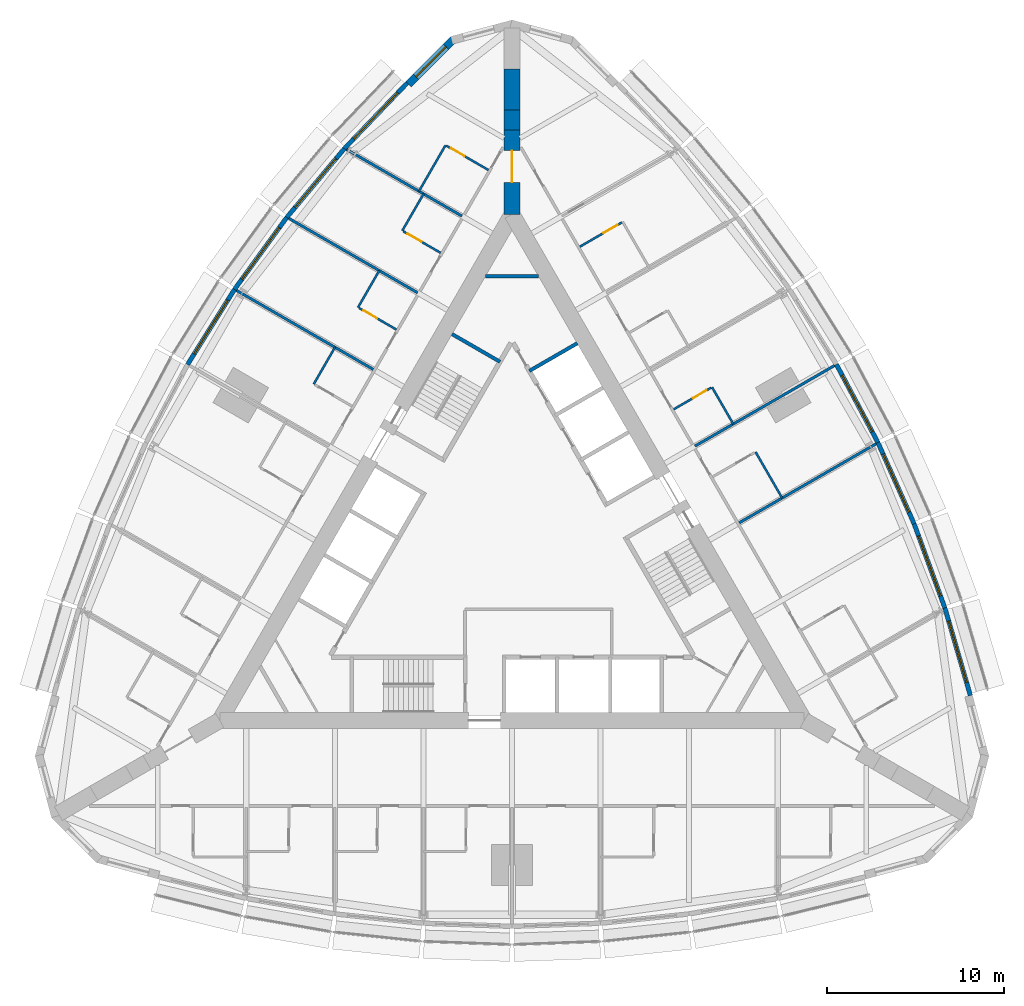
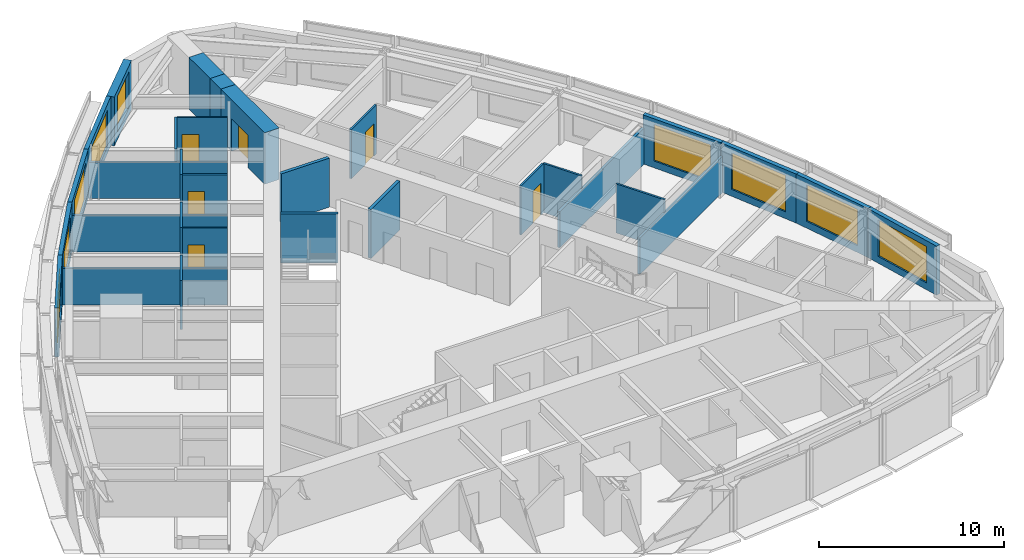
# One storey, part 12 of 14: 31 walls, 9 windows, 6 doors, 15 openings.
"""IFC4 building model written with IfcOpenShell, lengths in metres."""

from ifc_helpers import new_model, si_unit, direction, frame, frame_2d, origin, place, context, subcontext, project, spatial, rectangle, extrude, material, layer, layer_set, type_object, element, fill, save


model = new_model("IFC4")

# Units and contexts
model_context = context("Model", 3, precision=1e-05, world=origin(), true_north=direction((0.0, 1.0)))
body_context = subcontext(model_context, "Body", "Model", "MODEL_VIEW")
ifc_project = project(units=[si_unit("LENGTHUNIT", "METRE"), si_unit("AREAUNIT", "SQUARE_METRE"), si_unit("VOLUMEUNIT", "CUBIC_METRE"), si_unit("PLANEANGLEUNIT", "RADIAN"), si_unit("MASSUNIT", "GRAM", prefix="KILO")], contexts=[model_context])

# Site, building, storey
site_placement = place(None, origin())
site = spatial("IfcSite", under=ifc_project, at=site_placement, CompositionType="ELEMENT")
building_placement = place(site_placement, origin())
building = spatial("IfcBuilding", under=site, at=building_placement, Name="Trikona Tower", CompositionType="ELEMENT")
storey_placement = place(building_placement, frame((0.0, 0.0, 118.10009765625)))
storey = spatial("IfcBuildingStorey", under=building, at=storey_placement, Name="L30", CompositionType="ELEMENT", Elevation=118.10009765625)

# Walls
ifc_material_1 = material(Name="Metal stud and cement board", Category="gypsum")
ifc_layer_1 = layer(ifc_material_1, 0.1201171875)
ifc_layer_set_1 = layer_set([ifc_layer_1], Name="Bathroom wall 120")
wall_type_1 = type_object("IfcWallType", Name="Bathroom wall 120", PredefinedType="PLUMBINGWALL", material=ifc_layer_set_1)
wall_1_placement = place(storey_placement, frame((15.25341796875, 3.032958984375, 0.0), z_axis=(0.0, 0.0, 1.0), x_axis=(-0.499990139034, 0.866031096941, 0.0)))
element("IfcWall", 1, at=wall_1_placement, inside=storey, type_object=wall_type_1, Name="Bathroom wall 3009", PredefinedType="PLUMBINGWALL", context=body_context, shape_type="SweptSolid", body=[
    extrude(rectangle(XDim=3.0, YDim=0.1201171875, at=frame_2d((1.5, 0.0))), origin(), (0.0, 0.0, 1.0), 3.23486328125),
])
wall_2_placement = place(storey_placement, frame((12.493408203125, 7.213134765625, 0.0), z_axis=(0.0, 0.0, 1.0), x_axis=(-0.500001309137, 0.866024647952, 0.0)))
element("IfcWall", 2, at=wall_2_placement, inside=storey, type_object=wall_type_1, Name="Bathroom wall 3010", PredefinedType="PLUMBINGWALL", context=body_context, shape_type="SweptSolid", body=[
    extrude(rectangle(XDim=2.39990234375, YDim=0.1201171875, at=frame_2d((1.199951171875, 0.0))), origin(), (0.0, 0.0, 1.0), 3.23486328125),
])

# Wall, opening, door
wall_3_placement = place(storey_placement, frame((9.12841796875, 8.04150390625, 0.0), z_axis=(0.0, 0.0, 1.0), x_axis=(0.866005645448, 0.500034220881, 0.0)))
wall_3 = element("IfcWall", 3, at=wall_3_placement, inside=storey, type_object=wall_type_1, Name="Bathroom wall 3010", PredefinedType="PLUMBINGWALL", context=body_context, shape_type="SweptSolid", body=[
    extrude(rectangle(XDim=2.440185546875, YDim=0.1201171875, at=frame_2d((1.22021484375, 0.0))), origin(), (0.0, 0.0, 1.0), 3.23486328125),
])
opening_1_placement = place(wall_3_placement, frame((1.25, 0.0, 0.0)))
opening_1 = element("IfcOpeningElement", 4, at=opening_1_placement, cuts=wall_3, Name="Opening D2", PredefinedType="OPENING", context=body_context, shape_type="SweptSolid", body=[
    extrude(rectangle(XDim=0.89990234375, YDim=2.1298828125, at=frame_2d((0.449951171875, 1.06494140625))), frame((0.0, 0.070068359375, 0.0), z_axis=(0.0, -1.0, 0.0), x_axis=(1.0, 0.0, 0.0)), (0.0, 0.0, 1.0), 0.14013671875),
])
ifc_material_2 = material(Name="Steel door frame with solid-core timber leaf", Category="steel")
door_type_1 = type_object("IfcDoorType", Name="Bathroom door 900x2130", OperationType="SLIDING_TO_LEFT", PredefinedType="DOOR", material=ifc_material_2)
door_1_placement = place(opening_1_placement, origin())
door_1 = element("IfcDoor", 5, at=door_1_placement, inside=storey, type_object=door_type_1, Name="Bathroom door 3010", OperationType="SLIDING_TO_LEFT", OverallHeight=2.1298828125, OverallWidth=0.89990234375, PredefinedType="DOOR", context=body_context, shape_type="SweptSolid", body=[
    extrude(rectangle(XDim=0.89990234375, YDim=2.1298828125, at=frame_2d((0.449951171875, 1.06494140625))), frame((0.0, 0.02490234375, 0.0), z_axis=(0.0, -1.0, 0.0), x_axis=(1.0, 0.0, 0.0)), (0.0, 0.0, 1.0), 0.050048828125),
])
fill(opening_1, door_1)

wall_4_placement = place(storey_placement, frame((3.82861328125, 17.221435546875, 0.0), z_axis=(0.0, 0.0, 1.0), x_axis=(0.865997131366, 0.500048966069, 0.0)))
wall_4 = element("IfcWall", 6, at=wall_4_placement, inside=storey, type_object=wall_type_1, Name="Bathroom wall 3012.1", PredefinedType="PLUMBINGWALL", context=body_context, shape_type="SweptSolid", body=[
    extrude(rectangle(XDim=2.739990234375, YDim=0.1201171875, at=frame_2d((1.3701171875, 0.0))), origin(), (0.0, 0.0, 1.0), 3.23486328125),
])
opening_2_placement = place(wall_4_placement, frame((1.550048828125, 0.0, 0.0)))
opening_2 = element("IfcOpeningElement", 7, at=opening_2_placement, cuts=wall_4, Name="Opening D2", PredefinedType="OPENING", context=body_context, shape_type="SweptSolid", body=[
    extrude(rectangle(XDim=0.89990234375, YDim=2.1298828125, at=frame_2d((0.449951171875, 1.06494140625))), frame((0.0, 0.070068359375, 0.0), z_axis=(0.0, -1.0, 0.0), x_axis=(1.0, 0.0, 0.0)), (0.0, 0.0, 1.0), 0.14013671875),
])
door_2_placement = place(opening_2_placement, origin())
door_2 = element("IfcDoor", 8, at=door_2_placement, inside=storey, type_object=door_type_1, Name="Bathroom door 3012.1", OperationType="SLIDING_TO_LEFT", OverallHeight=2.1298828125, OverallWidth=0.89990234375, PredefinedType="DOOR", context=body_context, shape_type="SweptSolid", body=[
    extrude(rectangle(XDim=0.89990234375, YDim=2.1298828125, at=frame_2d((0.449951171875, 1.06494140625))), frame((0.0, 0.02490234375, 0.0), z_axis=(0.0, -1.0, 0.0), x_axis=(1.0, 0.0, 0.0)), (0.0, 0.0, 1.0), 0.050048828125),
])
fill(opening_2, door_2)

# Wall
wall_5_placement = place(storey_placement, frame((-3.75341796875, 22.95166015625, 0.0), z_axis=(0.0, 0.0, 1.0), x_axis=(-0.499990139034, -0.866031096941, 0.0)))
element("IfcWall", 9, at=wall_5_placement, inside=storey, type_object=wall_type_1, Name="Bathroom wall 3013", PredefinedType="PLUMBINGWALL", context=body_context, shape_type="SweptSolid", body=[
    extrude(rectangle(XDim=3.0, YDim=0.1201171875, at=frame_2d((1.5, 0.0))), origin(), (0.0, 0.0, 1.0), 3.23486328125),
])

# Wall, opening, door
wall_6_placement = place(storey_placement, frame((-1.32861328125, 21.551513671875, 0.0), z_axis=(0.0, 0.0, 1.0), x_axis=(-0.865997131366, 0.500048966069, 0.0)))
wall_6 = element("IfcWall", 10, at=wall_6_placement, inside=storey, type_object=wall_type_1, Name="Bathroom wall 3013", PredefinedType="PLUMBINGWALL", context=body_context, shape_type="SweptSolid", body=[
    extrude(rectangle(XDim=2.739990234375, YDim=0.1201171875, at=frame_2d((1.3701171875, 0.0))), origin(), (0.0, 0.0, 1.0), 3.23486328125),
])
opening_3_placement = place(wall_6_placement, frame((1.550048828125, 0.0, 0.0)))
opening_3 = element("IfcOpeningElement", 11, at=opening_3_placement, cuts=wall_6, Name="Opening D2", PredefinedType="OPENING", context=body_context, shape_type="SweptSolid", body=[
    extrude(rectangle(XDim=0.89990234375, YDim=2.1298828125, at=frame_2d((0.449951171875, 1.06494140625))), frame((0.0, 0.070068359375, 0.0), z_axis=(0.0, -1.0, 0.0), x_axis=(1.0, 0.0, 0.0)), (0.0, 0.0, 1.0), 0.14013671875),
])
door_3_placement = place(opening_3_placement, origin())
door_3 = element("IfcDoor", 12, at=door_3_placement, inside=storey, type_object=door_type_1, Name="Bathroom door 3013", OperationType="SLIDING_TO_LEFT", OverallHeight=2.1298828125, OverallWidth=0.89990234375, PredefinedType="DOOR", context=body_context, shape_type="SweptSolid", body=[
    extrude(rectangle(XDim=0.89990234375, YDim=2.1298828125, at=frame_2d((0.449951171875, 1.06494140625))), frame((0.0, 0.02490234375, 0.0), z_axis=(0.0, -1.0, 0.0), x_axis=(1.0, 0.0, 0.0)), (0.0, 0.0, 1.0), 0.050048828125),
])
fill(opening_3, door_3)

# Wall
wall_7_placement = place(storey_placement, frame((-4.993408203125, 20.20361328125, 0.0), z_axis=(0.0, 0.0, 1.0), x_axis=(-0.500033551112, -0.866006032174, 0.0)))
element("IfcWall", 13, at=wall_7_placement, inside=storey, type_object=wall_type_1, Name="Bathroom wall 3014", PredefinedType="PLUMBINGWALL", context=body_context, shape_type="SweptSolid", body=[
    extrude(rectangle(XDim=2.400146484375, YDim=0.1201171875, at=frame_2d((1.2001953125, 0.0))), origin(), (0.0, 0.0, 1.0), 3.23486328125),
])

# Wall, opening, door
wall_8_placement = place(storey_placement, frame((-4.028564453125, 16.875, 0.0), z_axis=(0.0, 0.0, 1.0), x_axis=(-0.865980627057, 0.500077547548, 0.0)))
wall_8 = element("IfcWall", 14, at=wall_8_placement, inside=storey, type_object=wall_type_1, Name="Bathroom wall 3014", PredefinedType="PLUMBINGWALL", context=body_context, shape_type="SweptSolid", body=[
    extrude(rectangle(XDim=2.43994140625, YDim=0.1201171875, at=frame_2d((1.219970703125, 0.0))), origin(), (0.0, 0.0, 1.0), 3.23486328125),
])
opening_4_placement = place(wall_8_placement, frame((1.25, 0.0, 0.0)))
opening_4 = element("IfcOpeningElement", 15, at=opening_4_placement, cuts=wall_8, Name="Opening D2", PredefinedType="OPENING", context=body_context, shape_type="SweptSolid", body=[
    extrude(rectangle(XDim=0.89990234375, YDim=2.1298828125, at=frame_2d((0.449951171875, 1.06494140625))), frame((0.0, 0.070068359375, 0.0), z_axis=(0.0, -1.0, 0.0), x_axis=(1.0, 0.0, 0.0)), (0.0, 0.0, 1.0), 0.14013671875),
])
door_4_placement = place(opening_4_placement, origin())
door_4 = element("IfcDoor", 16, at=door_4_placement, inside=storey, type_object=door_type_1, Name="Bathroom door 3014", OperationType="SLIDING_TO_LEFT", OverallHeight=2.1298828125, OverallWidth=0.89990234375, PredefinedType="DOOR", context=body_context, shape_type="SweptSolid", body=[
    extrude(rectangle(XDim=0.89990234375, YDim=2.1298828125, at=frame_2d((0.449951171875, 1.06494140625))), frame((0.0, 0.02490234375, 0.0), z_axis=(0.0, -1.0, 0.0), x_axis=(1.0, 0.0, 0.0)), (0.0, 0.0, 1.0), 0.050048828125),
])
fill(opening_4, door_4)

# Wall
wall_9_placement = place(storey_placement, frame((-7.493408203125, 15.873291015625, 0.0), z_axis=(0.0, 0.0, 1.0), x_axis=(-0.500077600433, -0.865980596518, 0.0)))
element("IfcWall", 17, at=wall_9_placement, inside=storey, type_object=wall_type_1, Name="Bathroom wall 3015", PredefinedType="PLUMBINGWALL", context=body_context, shape_type="SweptSolid", body=[
    extrude(rectangle(XDim=2.39990234375, YDim=0.1201171875, at=frame_2d((1.199951171875, 0.0))), origin(), (0.0, 0.0, 1.0), 3.23486328125),
])

# Wall, opening, door
wall_10_placement = place(storey_placement, frame((-6.528564453125, 12.544921875, 0.0), z_axis=(0.0, 0.0, 1.0), x_axis=(-0.866023955769, 0.500002508028, 0.0)))
wall_10 = element("IfcWall", 18, at=wall_10_placement, inside=storey, type_object=wall_type_1, Name="Bathroom wall 3015", PredefinedType="PLUMBINGWALL", context=body_context, shape_type="SweptSolid", body=[
    extrude(rectangle(XDim=2.43994140625, YDim=0.1201171875, at=frame_2d((1.219970703125, 0.0))), origin(), (0.0, 0.0, 1.0), 3.23486328125),
])
opening_5_placement = place(wall_10_placement, frame((1.25, 0.0, 0.0)))
opening_5 = element("IfcOpeningElement", 19, at=opening_5_placement, cuts=wall_10, Name="Opening D2", PredefinedType="OPENING", context=body_context, shape_type="SweptSolid", body=[
    extrude(rectangle(XDim=0.89990234375, YDim=2.1298828125, at=frame_2d((0.449951171875, 1.06494140625))), frame((0.0, 0.070068359375, 0.0), z_axis=(0.0, -1.0, 0.0), x_axis=(1.0, 0.0, 0.0)), (0.0, 0.0, 1.0), 0.14013671875),
])
door_5_placement = place(opening_5_placement, origin())
door_5 = element("IfcDoor", 20, at=door_5_placement, inside=storey, type_object=door_type_1, Name="Bathroom door 3015", OperationType="SLIDING_TO_LEFT", OverallHeight=2.1298828125, OverallWidth=0.89990234375, PredefinedType="DOOR", context=body_context, shape_type="SweptSolid", body=[
    extrude(rectangle(XDim=0.89990234375, YDim=2.1298828125, at=frame_2d((0.449951171875, 1.06494140625))), frame((0.0, 0.02490234375, 0.0), z_axis=(0.0, -1.0, 0.0), x_axis=(1.0, 0.0, 0.0)), (0.0, 0.0, 1.0), 0.050048828125),
])
fill(opening_5, door_5)

# Wall
wall_11_placement = place(storey_placement, frame((-9.993408203125, 11.543212890625, 0.0), z_axis=(0.0, 0.0, 1.0), x_axis=(-0.500077600433, -0.865980596518, 0.0)))
element("IfcWall", 21, at=wall_11_placement, inside=storey, type_object=wall_type_1, Name="Bathroom wall 3016", PredefinedType="PLUMBINGWALL", context=body_context, shape_type="SweptSolid", body=[
    extrude(rectangle(XDim=2.39990234375, YDim=0.1201171875, at=frame_2d((1.199951171875, 0.0))), origin(), (0.0, 0.0, 1.0), 3.23486328125),
])

# Wall, opening, window
ifc_material_3 = material(Name="Brick-faced precast concrete", Category="masonry")
ifc_layer_2 = layer(ifc_material_3, 0.449951171875)
ifc_layer_set_2 = layer_set([ifc_layer_2], Name="Brick-faced corner wall 450")
wall_type_2 = type_object("IfcWallType", Name="Brick-faced corner wall 450", PredefinedType="SOLIDWALL", material=ifc_layer_set_2)
wall_12_placement = place(storey_placement, frame((-3.304931640625, 28.934814453125, 0.0), z_axis=(0.0, 0.0, 1.0), x_axis=(-0.707106781187, -0.707106781187, 0.0)))
wall_12 = element("IfcWall", 22, at=wall_12_placement, inside=storey, type_object=wall_type_2, Name="External wall L30-23", PredefinedType="SOLIDWALL", context=body_context, shape_type="SweptSolid", body=[
    extrude(rectangle(XDim=3.586181640625, YDim=0.449951171875, at=frame_2d((1.79296875, 0.0))), origin(), (0.0, 0.0, 1.0), 3.23486328125),
])
opening_6_placement = place(wall_12_placement, frame((0.59326171875, 0.0, 0.449951171875)))
opening_6 = element("IfcOpeningElement", 23, at=opening_6_placement, cuts=wall_12, Name="Opening W2424", PredefinedType="OPENING", context=body_context, shape_type="SweptSolid", body=[
    extrude(rectangle(XDim=2.39990234375, YDim=2.39990234375, at=frame_2d((1.199951171875, 1.199951171875))), frame((0.0, 0.23486328125, 0.0), z_axis=(0.0, -1.0, 0.0), x_axis=(1.0, 0.0, 0.0)), (0.0, 0.0, 1.0), 0.469970703125),
])
ifc_material_4 = material(Name="Aluminium-framed double glazing", Category="aluminium")
window_type_1 = type_object("IfcWindowType", Name="Window 2400x2400", PartitioningType="SINGLE_PANEL", PredefinedType="WINDOW", material=ifc_material_4)
window_1_placement = place(opening_6_placement, origin())
window_1 = element("IfcWindow", 24, at=window_1_placement, inside=storey, type_object=window_type_1, Name="Window 3013", OverallHeight=2.39990234375, OverallWidth=2.39990234375, PartitioningType="SINGLE_PANEL", PredefinedType="WINDOW", context=body_context, shape_type="SweptSolid", body=[
    extrude(rectangle(XDim=2.39990234375, YDim=2.39990234375, at=frame_2d((1.199951171875, 1.199951171875))), frame((0.0, 0.030029296875, 0.0), z_axis=(0.0, -1.0, 0.0), x_axis=(1.0, 0.0, 0.0)), (0.0, 0.0, 1.0), 0.06005859375),
])
fill(opening_6, window_1)

# Wall, opening, door
ifc_material_5 = material(Name="Concrete f'c 10000 psi", Category="concrete")
ifc_layer_3 = layer(ifc_material_5, 0.89990234375)
ifc_layer_set_3 = layer_set([ifc_layer_3], Name="Buttress wall 900")
wall_type_3 = type_object("IfcWallType", Name="Buttress wall 900", PredefinedType="SHEAR", material=ifc_layer_set_3)
wall_13_placement = place(storey_placement, frame((0.0, 19.052490234375, 0.0), z_axis=(0.0, 0.0, 1.0), x_axis=(0.0, 1.0, 0.0)))
wall_13 = element("IfcWall", 25, at=wall_13_placement, inside=storey, type_object=wall_type_3, Name="Buttress wall 2", PredefinedType="SHEAR", context=body_context, shape_type="SweptSolid", body=[
    extrude(rectangle(XDim=4.74609375, YDim=0.89990234375, at=frame_2d((2.373046875, 0.0))), origin(), (0.0, 0.0, 1.0), 3.39990234375),
])
opening_7_placement = place(wall_13_placement, frame((1.800048828125, 0.0, 0.0)))
opening_7 = element("IfcOpeningElement", 26, at=opening_7_placement, cuts=wall_13, Name="Opening D10", PredefinedType="OPENING", context=body_context, shape_type="SweptSolid", body=[
    extrude(rectangle(XDim=1.800048828125, YDim=2.1298828125, at=frame_2d((0.89990234375, 1.06494140625))), frame((0.0, 0.4599609375, 0.0), z_axis=(0.0, -1.0, 0.0), x_axis=(1.0, 0.0, 0.0)), (0.0, 0.0, 1.0), 0.919921875),
])
ifc_material_6 = material(Name="Hollow metal door and frame", Category="steel")
door_type_2 = type_object("IfcDoorType", Name="Cross-corridor door pair 1800x2130", OperationType="DOUBLE_DOOR_DOUBLE_SWING", PredefinedType="DOOR", material=ifc_material_6)
door_6_placement = place(opening_7_placement, origin())
door_6 = element("IfcDoor", 27, at=door_6_placement, inside=storey, type_object=door_type_2, Name="Cross-corridor door 2", OperationType="DOUBLE_DOOR_DOUBLE_SWING", OverallHeight=2.1298828125, OverallWidth=1.800048828125, PredefinedType="DOOR", context=body_context, shape_type="SweptSolid", body=[
    extrude(rectangle(XDim=1.800048828125, YDim=2.1298828125, at=frame_2d((0.89990234375, 1.06494140625))), frame((0.0, 0.02490234375, 0.0), z_axis=(0.0, -1.0, 0.0), x_axis=(1.0, 0.0, 0.0)), (0.0, 0.0, 1.0), 0.050048828125),
])
fill(opening_7, door_6)

# Walls
wall_14_placement = place(storey_placement, frame((0.0, 23.798583984375, 0.0), z_axis=(0.0, 0.0, 1.0), x_axis=(0.0, 1.0, 0.0)))
element("IfcWall", 28, at=wall_14_placement, inside=storey, type_object=wall_type_3, Name="Buttress wall 2 part 2", PredefinedType="SHEAR", context=body_context, shape_type="SweptSolid", body=[
    extrude(rectangle(XDim=1.15478515625, YDim=0.89990234375, at=frame_2d((0.577392578125, 0.0))), origin(), (0.0, 0.0, 1.0), 3.39990234375),
])
wall_15_placement = place(storey_placement, frame((0.0, 24.953369140625, 0.0), z_axis=(0.0, 0.0, 1.0), x_axis=(0.0, 1.0, 0.0)))
element("IfcWall", 29, at=wall_15_placement, inside=storey, type_object=wall_type_3, Name="Buttress wall 2 part 3", PredefinedType="SHEAR", context=body_context, shape_type="SweptSolid", body=[
    extrude(rectangle(XDim=2.309326171875, YDim=0.89990234375, at=frame_2d((1.15478515625, 0.0))), origin(), (0.0, 0.0, 1.0), 3.39990234375),
])

# Wall, opening, window
ifc_material_7 = material(Name="Insulated precast concrete spandrel panel", Category="concrete")
ifc_layer_4 = layer(ifc_material_7, 0.25)
ifc_layer_set_4 = layer_set([ifc_layer_4], Name="Inner skin wall 250")
wall_type_4 = type_object("IfcWallType", Name="Inner skin wall 250", PredefinedType="STANDARD", material=ifc_layer_set_4)
wall_16_placement = place(storey_placement, frame((25.8798828125, -8.117919921875, 0.0), z_axis=(0.0, 0.0, 1.0), x_axis=(-0.279528287117, 0.960137457191, 0.0)))
wall_16 = element("IfcWall", 30, at=wall_16_placement, inside=storey, type_object=wall_type_4, Name="External wall L30-12", PredefinedType="STANDARD", context=body_context, shape_type="SweptSolid", body=[
    extrude(rectangle(XDim=5.14794921875, YDim=0.25, at=frame_2d((2.573974609375, 0.0))), origin(), (0.0, 0.0, 1.0), 3.23486328125),
])
opening_8_placement = place(wall_16_placement, frame((0.77392578125, 0.0, 0.449951171875)))
opening_8 = element("IfcOpeningElement", 31, at=opening_8_placement, cuts=wall_16, Name="Opening W3624", PredefinedType="OPENING", context=body_context, shape_type="SweptSolid", body=[
    extrude(rectangle(XDim=3.60009765625, YDim=2.39990234375, at=frame_2d((1.800048828125, 1.199951171875))), frame((0.0, 0.135009765625, 0.0), z_axis=(0.0, -1.0, 0.0), x_axis=(1.0, 0.0, 0.0)), (0.0, 0.0, 1.0), 0.27001953125),
])
ifc_material_8 = material(Name="Aluminium-framed double glazing", Category="aluminium")
window_type_2 = type_object("IfcWindowType", Name="Window 3600x2400", PartitioningType="SINGLE_PANEL", PredefinedType="WINDOW", material=ifc_material_8)
window_2_placement = place(opening_8_placement, origin())
window_2 = element("IfcWindow", 32, at=window_2_placement, inside=storey, type_object=window_type_2, Name="Window 3007", OverallHeight=2.39990234375, OverallWidth=3.60009765625, PartitioningType="SINGLE_PANEL", PredefinedType="WINDOW", context=body_context, shape_type="SweptSolid", body=[
    extrude(rectangle(XDim=3.60009765625, YDim=2.39990234375, at=frame_2d((1.800048828125, 1.199951171875))), frame((0.0, 0.030029296875, 0.0), z_axis=(0.0, -1.0, 0.0), x_axis=(1.0, 0.0, 0.0)), (0.0, 0.0, 1.0), 0.06005859375),
])
fill(opening_8, window_2)

wall_17_placement = place(storey_placement, frame((24.443603515625, -3.18310546875, 0.0), z_axis=(0.0, 0.0, 1.0), x_axis=(-0.343225593282, 0.939252996863, 0.0)))
wall_17 = element("IfcWall", 33, at=wall_17_placement, inside=storey, type_object=wall_type_4, Name="External wall L30-13", PredefinedType="STANDARD", context=body_context, shape_type="SweptSolid", body=[
    extrude(rectangle(XDim=5.075927734375, YDim=0.25, at=frame_2d((2.5380859375, 0.0))), origin(), (0.0, 0.0, 1.0), 3.23486328125),
])
opening_9_placement = place(wall_17_placement, frame((0.738037109375, 0.0, 0.449951171875)))
opening_9 = element("IfcOpeningElement", 34, at=opening_9_placement, cuts=wall_17, Name="Opening W3624", PredefinedType="OPENING", context=body_context, shape_type="SweptSolid", body=[
    extrude(rectangle(XDim=3.60009765625, YDim=2.39990234375, at=frame_2d((1.800048828125, 1.199951171875))), frame((0.0, 0.135009765625, 0.0), z_axis=(0.0, -1.0, 0.0), x_axis=(1.0, 0.0, 0.0)), (0.0, 0.0, 1.0), 0.27001953125),
])
window_3_placement = place(opening_9_placement, origin())
window_3 = element("IfcWindow", 35, at=window_3_placement, inside=storey, type_object=window_type_2, Name="Window 3008", OverallHeight=2.39990234375, OverallWidth=3.60009765625, PartitioningType="SINGLE_PANEL", PredefinedType="WINDOW", context=body_context, shape_type="SweptSolid", body=[
    extrude(rectangle(XDim=3.60009765625, YDim=2.39990234375, at=frame_2d((1.800048828125, 1.199951171875))), frame((0.0, 0.030029296875, 0.0), z_axis=(0.0, -1.0, 0.0), x_axis=(1.0, 0.0, 0.0)), (0.0, 0.0, 1.0), 0.06005859375),
])
fill(opening_9, window_3)

wall_18_placement = place(storey_placement, frame((22.70458984375, 1.576416015625, 0.0), z_axis=(0.0, 0.0, 1.0), x_axis=(-0.406832200364, 0.913502906808, 0.0)))
wall_18 = element("IfcWall", 36, at=wall_18_placement, inside=storey, type_object=wall_type_4, Name="External wall L30-14", PredefinedType="STANDARD", context=body_context, shape_type="SweptSolid", body=[
    extrude(rectangle(XDim=5.027587890625, YDim=0.25, at=frame_2d((2.513671875, 0.0))), origin(), (0.0, 0.0, 1.0), 3.23486328125),
])
opening_10_placement = place(wall_18_placement, frame((0.713623046875, 0.0, 0.449951171875)))
opening_10 = element("IfcOpeningElement", 37, at=opening_10_placement, cuts=wall_18, Name="Opening W3624", PredefinedType="OPENING", context=body_context, shape_type="SweptSolid", body=[
    extrude(rectangle(XDim=3.60009765625, YDim=2.39990234375, at=frame_2d((1.800048828125, 1.199951171875))), frame((0.0, 0.135009765625, 0.0), z_axis=(0.0, -1.0, 0.0), x_axis=(1.0, 0.0, 0.0)), (0.0, 0.0, 1.0), 0.27001953125),
])
window_4_placement = place(opening_10_placement, origin())
window_4 = element("IfcWindow", 38, at=window_4_placement, inside=storey, type_object=window_type_2, Name="Window 3008", OverallHeight=2.39990234375, OverallWidth=3.60009765625, PartitioningType="SINGLE_PANEL", PredefinedType="WINDOW", context=body_context, shape_type="SweptSolid", body=[
    extrude(rectangle(XDim=3.60009765625, YDim=2.39990234375, at=frame_2d((1.800048828125, 1.199951171875))), frame((0.0, 0.030029296875, 0.0), z_axis=(0.0, -1.0, 0.0), x_axis=(1.0, 0.0, 0.0)), (0.0, 0.0, 1.0), 0.06005859375),
])
fill(opening_10, window_4)

wall_19_placement = place(storey_placement, frame((20.662841796875, 6.161376953125, 0.0), z_axis=(0.0, 0.0, 1.0), x_axis=(-0.469404966864, 0.882982999317, 0.0)))
wall_19 = element("IfcWall", 39, at=wall_19_placement, inside=storey, type_object=wall_type_4, Name="External wall L30-15", PredefinedType="STANDARD", context=body_context, shape_type="SweptSolid", body=[
    extrude(rectangle(XDim=5.0029296875, YDim=0.25, at=frame_2d((2.50146484375, 0.0))), origin(), (0.0, 0.0, 1.0), 3.23486328125),
])
opening_11_placement = place(wall_19_placement, frame((0.701416015625, 0.0, 0.449951171875)))
opening_11 = element("IfcOpeningElement", 40, at=opening_11_placement, cuts=wall_19, Name="Opening W3624", PredefinedType="OPENING", context=body_context, shape_type="SweptSolid", body=[
    extrude(rectangle(XDim=3.60009765625, YDim=2.39990234375, at=frame_2d((1.800048828125, 1.199951171875))), frame((0.0, 0.135009765625, 0.0), z_axis=(0.0, -1.0, 0.0), x_axis=(1.0, 0.0, 0.0)), (0.0, 0.0, 1.0), 0.27001953125),
])
window_5_placement = place(opening_11_placement, origin())
window_5 = element("IfcWindow", 41, at=window_5_placement, inside=storey, type_object=window_type_2, Name="Window 3009", OverallHeight=2.39990234375, OverallWidth=3.60009765625, PartitioningType="SINGLE_PANEL", PredefinedType="WINDOW", context=body_context, shape_type="SweptSolid", body=[
    extrude(rectangle(XDim=3.60009765625, YDim=2.39990234375, at=frame_2d((1.800048828125, 1.199951171875))), frame((0.0, 0.030029296875, 0.0), z_axis=(0.0, -1.0, 0.0), x_axis=(1.0, 0.0, 0.0)), (0.0, 0.0, 1.0), 0.06005859375),
])
fill(opening_11, window_5)

wall_20_placement = place(storey_placement, frame((-5.90966796875, 26.4716796875, 0.0), z_axis=(0.0, 0.0, 1.0), x_axis=(-0.691719937936, -0.722165858693, 0.0)))
wall_20 = element("IfcWall", 42, at=wall_20_placement, inside=storey, type_object=wall_type_4, Name="External wall L30-24", PredefinedType="STANDARD", context=body_context, shape_type="SweptSolid", body=[
    extrude(rectangle(XDim=5.148193359375, YDim=0.25, at=frame_2d((2.57421875, 0.0))), origin(), (0.0, 0.0, 1.0), 3.23486328125),
])
opening_12_placement = place(wall_20_placement, frame((0.77392578125, 0.0, 0.449951171875)))
opening_12 = element("IfcOpeningElement", 43, at=opening_12_placement, cuts=wall_20, Name="Opening W3624", PredefinedType="OPENING", context=body_context, shape_type="SweptSolid", body=[
    extrude(rectangle(XDim=3.60009765625, YDim=2.39990234375, at=frame_2d((1.800048828125, 1.199951171875))), frame((0.0, 0.135009765625, 0.0), z_axis=(0.0, -1.0, 0.0), x_axis=(1.0, 0.0, 0.0)), (0.0, 0.0, 1.0), 0.27001953125),
])
window_6_placement = place(opening_12_placement, origin())
window_6 = element("IfcWindow", 44, at=window_6_placement, inside=storey, type_object=window_type_2, Name="Window 3013", OverallHeight=2.39990234375, OverallWidth=3.60009765625, PartitioningType="SINGLE_PANEL", PredefinedType="WINDOW", context=body_context, shape_type="SweptSolid", body=[
    extrude(rectangle(XDim=3.60009765625, YDim=2.39990234375, at=frame_2d((1.800048828125, 1.199951171875))), frame((0.0, 0.030029296875, 0.0), z_axis=(0.0, -1.0, 0.0), x_axis=(1.0, 0.0, 0.0)), (0.0, 0.0, 1.0), 0.06005859375),
])
fill(opening_12, window_6)

wall_21_placement = place(storey_placement, frame((-9.465087890625, 22.76025390625, 0.0), z_axis=(0.0, 0.0, 1.0), x_axis=(-0.641810386606, -0.766863369607, 0.0)))
wall_21 = element("IfcWall", 45, at=wall_21_placement, inside=storey, type_object=wall_type_4, Name="External wall L30-25", PredefinedType="STANDARD", context=body_context, shape_type="SweptSolid", body=[
    extrude(rectangle(XDim=5.075927734375, YDim=0.25, at=frame_2d((2.5380859375, 0.0))), origin(), (0.0, 0.0, 1.0), 3.23486328125),
])
opening_13_placement = place(wall_21_placement, frame((0.738037109375, 0.0, 0.449951171875)))
opening_13 = element("IfcOpeningElement", 46, at=opening_13_placement, cuts=wall_21, Name="Opening W3624", PredefinedType="OPENING", context=body_context, shape_type="SweptSolid", body=[
    extrude(rectangle(XDim=3.60009765625, YDim=2.39990234375, at=frame_2d((1.800048828125, 1.199951171875))), frame((0.0, 0.135009765625, 0.0), z_axis=(0.0, -1.0, 0.0), x_axis=(1.0, 0.0, 0.0)), (0.0, 0.0, 1.0), 0.27001953125),
])
window_7_placement = place(opening_13_placement, origin())
window_7 = element("IfcWindow", 47, at=window_7_placement, inside=storey, type_object=window_type_2, Name="Window 3014", OverallHeight=2.39990234375, OverallWidth=3.60009765625, PartitioningType="SINGLE_PANEL", PredefinedType="WINDOW", context=body_context, shape_type="SweptSolid", body=[
    extrude(rectangle(XDim=3.60009765625, YDim=2.39990234375, at=frame_2d((1.800048828125, 1.199951171875))), frame((0.0, 0.030029296875, 0.0), z_axis=(0.0, -1.0, 0.0), x_axis=(1.0, 0.0, 0.0)), (0.0, 0.0, 1.0), 0.06005859375),
])
fill(opening_13, window_7)

wall_22_placement = place(storey_placement, frame((-12.717529296875, 18.87451171875, 0.0), z_axis=(0.0, 0.0, 1.0), x_axis=(-0.587669188412, -0.809101307001, 0.0)))
wall_22 = element("IfcWall", 48, at=wall_22_placement, inside=storey, type_object=wall_type_4, Name="External wall L30-26", PredefinedType="STANDARD", context=body_context, shape_type="SweptSolid", body=[
    extrude(rectangle(XDim=5.027587890625, YDim=0.25, at=frame_2d((2.513671875, 0.0))), origin(), (0.0, 0.0, 1.0), 3.23486328125),
])
opening_14_placement = place(wall_22_placement, frame((0.7138671875, 0.0, 0.449951171875)))
opening_14 = element("IfcOpeningElement", 49, at=opening_14_placement, cuts=wall_22, Name="Opening W3624", PredefinedType="OPENING", context=body_context, shape_type="SweptSolid", body=[
    extrude(rectangle(XDim=3.60009765625, YDim=2.39990234375, at=frame_2d((1.800048828125, 1.199951171875))), frame((0.0, 0.135009765625, 0.0), z_axis=(0.0, -1.0, 0.0), x_axis=(1.0, 0.0, 0.0)), (0.0, 0.0, 1.0), 0.27001953125),
])
window_8_placement = place(opening_14_placement, origin())
window_8 = element("IfcWindow", 50, at=window_8_placement, inside=storey, type_object=window_type_2, Name="Window 3015", OverallHeight=2.39990234375, OverallWidth=3.60009765625, PartitioningType="SINGLE_PANEL", PredefinedType="WINDOW", context=body_context, shape_type="SweptSolid", body=[
    extrude(rectangle(XDim=3.60009765625, YDim=2.39990234375, at=frame_2d((1.800048828125, 1.199951171875))), frame((0.0, 0.030029296875, 0.0), z_axis=(0.0, -1.0, 0.0), x_axis=(1.0, 0.0, 0.0)), (0.0, 0.0, 1.0), 0.06005859375),
])
fill(opening_14, window_8)

wall_23_placement = place(storey_placement, frame((-15.667236328125, 14.81396484375, 0.0), z_axis=(0.0, 0.0, 1.0), x_axis=(-0.529990167382, -0.84800378683, 0.0)))
wall_23 = element("IfcWall", 51, at=wall_23_placement, inside=storey, type_object=wall_type_4, Name="External wall L30-27", PredefinedType="STANDARD", context=body_context, shape_type="SweptSolid", body=[
    extrude(rectangle(XDim=5.003173828125, YDim=0.25, at=frame_2d((2.50146484375, 0.0))), origin(), (0.0, 0.0, 1.0), 3.23486328125),
])
opening_15_placement = place(wall_23_placement, frame((0.701416015625, 0.0, 0.449951171875)))
opening_15 = element("IfcOpeningElement", 52, at=opening_15_placement, cuts=wall_23, Name="Opening W3624", PredefinedType="OPENING", context=body_context, shape_type="SweptSolid", body=[
    extrude(rectangle(XDim=3.60009765625, YDim=2.39990234375, at=frame_2d((1.800048828125, 1.199951171875))), frame((0.0, 0.135009765625, 0.0), z_axis=(0.0, -1.0, 0.0), x_axis=(1.0, 0.0, 0.0)), (0.0, 0.0, 1.0), 0.27001953125),
])
window_9_placement = place(opening_15_placement, origin())
window_9 = element("IfcWindow", 53, at=window_9_placement, inside=storey, type_object=window_type_2, Name="Window 3016", OverallHeight=2.39990234375, OverallWidth=3.60009765625, PartitioningType="SINGLE_PANEL", PredefinedType="WINDOW", context=body_context, shape_type="SweptSolid", body=[
    extrude(rectangle(XDim=3.60009765625, YDim=2.39990234375, at=frame_2d((1.800048828125, 1.199951171875))), frame((0.0, 0.030029296875, 0.0), z_axis=(0.0, -1.0, 0.0), x_axis=(1.0, 0.0, 0.0)), (0.0, 0.0, 1.0), 0.06005859375),
])
fill(opening_15, window_9)

# Walls
ifc_material_9 = material(Name="Metal stud and gypsum board, 1-hour acoustic", Category="gypsum")
ifc_layer_5 = layer(ifc_material_9, 0.14990234375)
ifc_layer_set_5 = layer_set([ifc_layer_5], Name="Party wall 150")
wall_type_5 = type_object("IfcWallType", Name="Party wall 150", PredefinedType="PARTITIONING", material=ifc_layer_set_5)
wall_24_placement = place(storey_placement, frame((12.82861328125, 1.633056640625, 0.0), z_axis=(0.0, 0.0, 1.0), x_axis=(0.866027015393, 0.499997208602, 0.0)))
element("IfcWall", 54, at=wall_24_placement, inside=storey, type_object=wall_type_5, Name="Partition L30 F2 u-5", PredefinedType="PARTITIONING", context=body_context, shape_type="SweptSolid", body=[
    extrude(rectangle(XDim=8.92236328125, YDim=0.14990234375, at=frame_2d((4.461181640625, 0.0))), origin(), (0.0, 0.0, 1.0), 2.38916015625),
])
wall_25_placement = place(storey_placement, frame((10.32861328125, 5.963134765625, 0.0), z_axis=(0.0, 0.0, 1.0), x_axis=(0.866025170687, 0.500000403736, 0.0)))
element("IfcWall", 55, at=wall_25_placement, inside=storey, type_object=wall_type_5, Name="Partition L30 F2 u-4.44089e-15", PredefinedType="PARTITIONING", context=body_context, shape_type="SweptSolid", body=[
    extrude(rectangle(XDim=9.0986328125, YDim=0.14990234375, at=frame_2d((4.54931640625, 0.0))), origin(), (0.0, 0.0, 1.0), 2.38916015625),
])
wall_26_placement = place(storey_placement, frame((-2.82861328125, 18.95361328125, 0.0), z_axis=(0.0, 0.0, 1.0), x_axis=(-0.866015739374, 0.500016738876, 0.0)))
element("IfcWall", 56, at=wall_26_placement, inside=storey, type_object=wall_type_5, Name="Partition L30 F3 u-15", PredefinedType="PARTITIONING", context=body_context, shape_type="SweptSolid", body=[
    extrude(rectangle(XDim=7.516357421875, YDim=0.14990234375, at=frame_2d((3.75830078125, 0.0))), origin(), (0.0, 0.0, 1.0), 2.38916015625),
])
wall_27_placement = place(storey_placement, frame((-5.32861328125, 14.623291015625, 0.0), z_axis=(0.0, 0.0, 1.0), x_axis=(-0.866011723728, 0.500023693804, 0.0)))
element("IfcWall", 57, at=wall_27_placement, inside=storey, type_object=wall_type_5, Name="Partition L30 F3 u-10", PredefinedType="PARTITIONING", context=body_context, shape_type="SweptSolid", body=[
    extrude(rectangle(XDim=8.39501953125, YDim=0.14990234375, at=frame_2d((4.197509765625, 0.0))), origin(), (0.0, 0.0, 1.0), 2.38916015625),
])
wall_28_placement = place(storey_placement, frame((-7.82861328125, 10.293212890625, 0.0), z_axis=(0.0, 0.0, 1.0), x_axis=(-0.866027015393, 0.499997208602, 0.0)))
element("IfcWall", 58, at=wall_28_placement, inside=storey, type_object=wall_type_5, Name="Partition L30 F3 u-5", PredefinedType="PARTITIONING", context=body_context, shape_type="SweptSolid", body=[
    extrude(rectangle(XDim=8.92236328125, YDim=0.14990234375, at=frame_2d((4.461181640625, 0.0))), origin(), (0.0, 0.0, 1.0), 2.38916015625),
])
ifc_material_10 = material(Name="Concrete f'c 8000 psi", Category="concrete")
ifc_layer_6 = layer(ifc_material_10, 0.199951171875)
ifc_layer_set_6 = layer_set([ifc_layer_6], Name="Shaft wall 200")
wall_type_6 = type_object("IfcWallType", Name="Shaft wall 200", PredefinedType="SOLIDWALL", material=ifc_layer_set_6)
wall_29_placement = place(storey_placement, frame((0.97900390625, 10.20703125, 0.0), z_axis=(0.0, 0.0, 1.0), x_axis=(0.866022959057, 0.500004234368, 0.0)))
element("IfcWall", 59, at=wall_29_placement, inside=storey, type_object=wall_type_6, Name="Shaft wall B6", PredefinedType="SOLIDWALL", context=body_context, shape_type="SweptSolid", body=[
    extrude(rectangle(XDim=3.125, YDim=0.199951171875, at=frame_2d((1.5625, 0.0))), origin(), (0.0, 0.0, 1.0), 3.23486328125),
])
wall_30_placement = place(storey_placement, frame((-1.501220703125, 15.552490234375, 0.0), z_axis=(0.0, 0.0, 1.0), x_axis=(1.0, 0.0, 0.0)))
element("IfcWall", 60, at=wall_30_placement, inside=storey, type_object=wall_type_6, Name="Riser wall L30-RS2", PredefinedType="SOLIDWALL", context=body_context, shape_type="SweptSolid", body=[
    extrude(rectangle(XDim=3.00244140625, YDim=0.199951171875, at=frame_2d((1.501220703125, 0.0))), origin(), (0.0, 0.0, 1.0), 3.23486328125),
])
ifc_material_11 = material(Name="Concrete f'c 8000 psi", Category="concrete")
ifc_layer_7 = layer(ifc_material_11, 0.199951171875)
ifc_layer_set_7 = layer_set([ifc_layer_7], Name="Shaft wall 200 load-bearing")
wall_type_7 = type_object("IfcWallType", Name="Shaft wall 200 load-bearing", PredefinedType="SOLIDWALL", material=ifc_layer_set_7)
wall_31_placement = place(storey_placement, frame((-0.678955078125, 10.7265625, 0.0), z_axis=(0.0, 0.0, 1.0), x_axis=(-0.866022959057, 0.500004234368, 0.0)))
element("IfcWall", 61, at=wall_31_placement, inside=storey, type_object=wall_type_7, Name="Shaft wall C1", PredefinedType="SOLIDWALL", context=body_context, shape_type="SweptSolid", body=[
    extrude(rectangle(XDim=3.125, YDim=0.199951171875, at=frame_2d((1.5625, 0.0))), origin(), (0.0, 0.0, 1.0), 3.23486328125),
])

save(model, "model.ifc")
